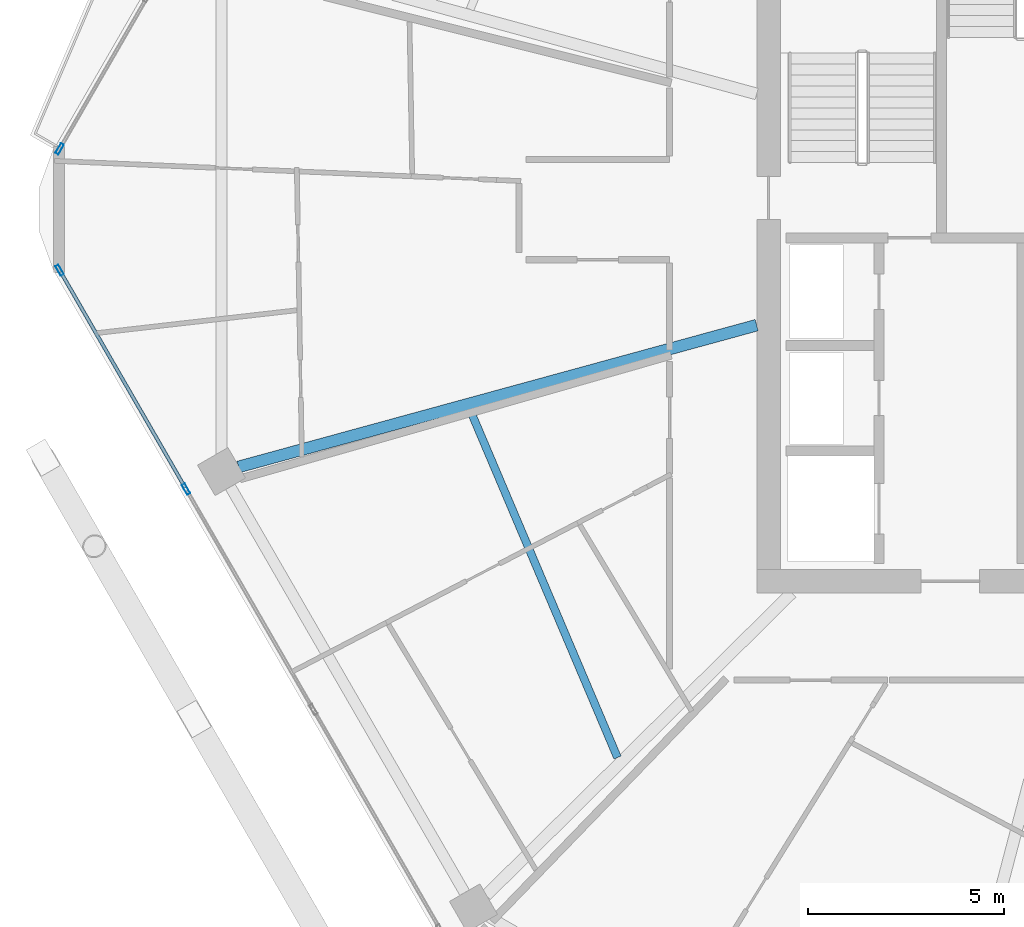
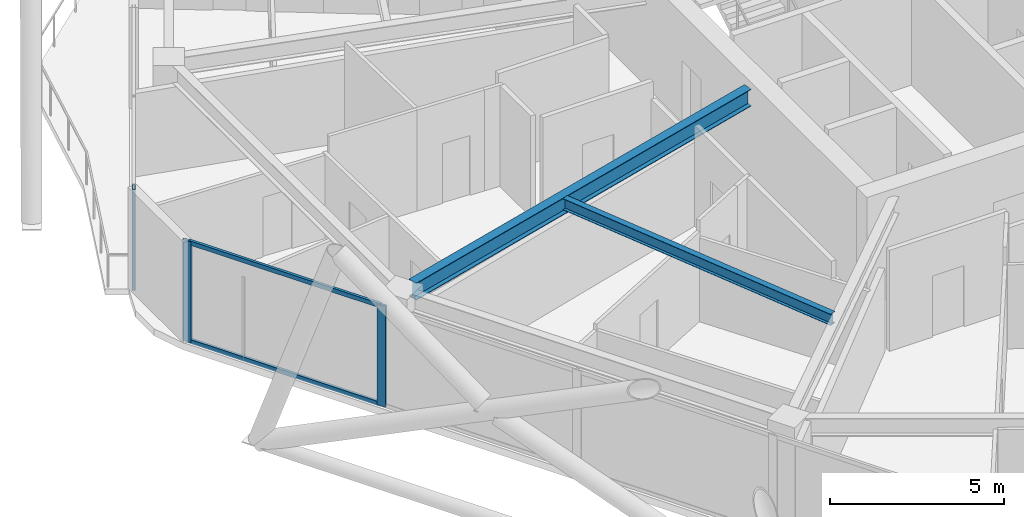
# One storey, part 6 of 29: 5 members, 2 beams, 2 elements without a shape of their own.
"""IFC4 building model written with IfcOpenShell, lengths in metres."""

from ifc_helpers import new_model, si_unit, direction, frame, origin, origin_2d, place, context, subcontext, project, spatial, hollow_rectangle, i_section, extrude, material, material_profile, profile_set, type_object, element, aggregate, save


model = new_model("IFC4")

# Units and contexts
model_context = context("Model", 3, precision=1e-05, world=origin(), true_north=direction((0.0, 1.0)))
body_context = subcontext(model_context, "Body", "Model", "MODEL_VIEW")
ifc_project = project(units=[si_unit("LENGTHUNIT", "METRE"), si_unit("AREAUNIT", "SQUARE_METRE"), si_unit("VOLUMEUNIT", "CUBIC_METRE"), si_unit("PLANEANGLEUNIT", "RADIAN"), si_unit("MASSUNIT", "GRAM", prefix="KILO")], contexts=[model_context])

# Site, building, storey
site_placement = place(None, origin())
site = spatial("IfcSite", under=ifc_project, at=site_placement, CompositionType="ELEMENT")
building_placement = place(site_placement, origin())
building = spatial("IfcBuilding", under=site, at=building_placement, Name="Zuhravey Tower", CompositionType="ELEMENT")
storey_placement = place(building_placement, frame((0.0, 0.0, 246.39990234375)))
storey = spatial("IfcBuildingStorey", under=building, at=storey_placement, Name="L62", CompositionType="ELEMENT", Elevation=246.39990234375)

# Curtain wall, members
ifc_material_1 = material(Name="Thermally broken anodised aluminium", Category="aluminium")
curtain_wall_type = type_object("IfcCurtainWallType", Name="Zone 3-4 High-Rise Curtain Wall CW4", PredefinedType="NOTDEFINED", material=ifc_material_1)
curtain_wall_1_placement = place(storey_placement, origin())
curtain_wall_1 = element("IfcCurtainWall", 1, at=curtain_wall_1_placement, inside=storey, type_object=curtain_wall_type, Name="L62 CW4 CW-L62-F4-1", PredefinedType="NOTDEFINED")
ifc_material_2 = material(Name="Anodised aluminium", Category="aluminium")
ifc_material_profile_1 = material_profile(ifc_material_2, hollow_rectangle(XDim=0.090087890625, YDim=0.284912109375, WallThickness=0.0048828125, at=origin_2d()), Name="ALU-RHS-90x285x5")
ifc_profile_set_1 = profile_set([ifc_material_profile_1], Name="Anodised aluminium")
member_type_1 = type_object("IfcMemberType", Name="Curtain-Wall Mullion 90x180", PredefinedType="MULLION", material=ifc_profile_set_1)
member_1_placement = place(storey_placement, frame((10.608154296875, 24.852783203125, 0.0), z_axis=(0.0, 0.0, 1.0), x_axis=(-0.866024851021, -0.500000957414, 0.0)))
member_1 = element("IfcMember", 2, at=member_1_placement, type_object=member_type_1, Name="CW4 mullion 4", PredefinedType="MULLION", context=body_context, shape_type="SweptSolid", body=[
    extrude(hollow_rectangle(XDim=0.090087890625, YDim=0.284912109375, WallThickness=0.0048828125, at=origin_2d()), origin(), (0.0, 0.0, 1.0), 3.550048828125),
])
member_2_placement = place(storey_placement, frame((7.37744140625, 30.448486328125, 0.0), z_axis=(0.0, 0.0, 1.0), x_axis=(-0.866024851021, -0.500000957414, 0.0)))
member_2 = element("IfcMember", 3, at=member_2_placement, type_object=member_type_1, Name="CW4 mullion 5", PredefinedType="MULLION", context=body_context, shape_type="SweptSolid", body=[
    extrude(hollow_rectangle(XDim=0.090087890625, YDim=0.284912109375, WallThickness=0.0048828125, at=origin_2d()), origin(), (0.0, 0.0, 1.0), 3.550048828125),
])

# Curtain wall, member
curtain_wall_2_placement = place(storey_placement, origin())
curtain_wall_2 = element("IfcCurtainWall", 4, at=curtain_wall_2_placement, inside=storey, type_object=curtain_wall_type, Name="L62 CW4 CW-L62-F3-1", PredefinedType="NOTDEFINED")
member_3_placement = place(storey_placement, frame((7.37744140625, 33.551513671875, 0.0), z_axis=(0.0, 0.0, 1.0), x_axis=(-0.866023292434, 0.500003656948, 0.0)))
member_3 = element("IfcMember", 5, at=member_3_placement, type_object=member_type_1, Name="CW4 mullion 1", PredefinedType="MULLION", context=body_context, shape_type="SweptSolid", body=[
    extrude(hollow_rectangle(XDim=0.090087890625, YDim=0.284912109375, WallThickness=0.0048828125, at=origin_2d()), origin(), (0.0, 0.0, 1.0), 3.550048828125),
])
aggregate(curtain_wall_2, [member_3])

# Member
ifc_material_profile_2 = material_profile(ifc_material_2, hollow_rectangle(XDim=0.090087890625, YDim=0.14990234375, WallThickness=0.0048828125, at=origin_2d()), Name="ALU-RHS-90x150x5")
ifc_profile_set_2 = profile_set([ifc_material_profile_2], Name="Anodised aluminium")
member_type_2 = type_object("IfcMemberType", Name="Curtain-Wall Transom 90x150", PredefinedType="USERDEFINED", material=ifc_profile_set_2)
member_4_placement = place(storey_placement, frame((10.585693359375, 24.891845703125, 0.045166015625), z_axis=(-0.500008810174, 0.866020317169, 0.0), x_axis=(-0.866020317169, -0.500008810174, 0.0)))
member_4 = element("IfcMember", 6, at=member_4_placement, type_object=member_type_2, Name="CW4 transom 4.1", ObjectType="TRANSOM", PredefinedType="USERDEFINED", context=body_context, shape_type="SweptSolid", body=[
    extrude(hollow_rectangle(XDim=0.090087890625, YDim=0.14990234375, WallThickness=0.0048828125, at=origin_2d()), origin(), (0.0, 0.0, 1.0), 6.37158203125),
])

member_5_placement = place(storey_placement, frame((10.585693359375, 24.891845703125, 3.505126953125), z_axis=(-0.500008810174, 0.866020317169, 0.0), x_axis=(-0.866020317169, -0.500008810174, 0.0)))
member_5 = element("IfcMember", 7, at=member_5_placement, type_object=member_type_2, Name="CW4 transom 4.2", ObjectType="TRANSOM", PredefinedType="USERDEFINED", context=body_context, shape_type="SweptSolid", body=[
    extrude(hollow_rectangle(XDim=0.090087890625, YDim=0.14990234375, WallThickness=0.0048828125, at=origin_2d()), origin(), (0.0, 0.0, 1.0), 6.37158203125),
])

aggregate(curtain_wall_1, [member_1, member_2, member_4, member_5])

# Beams
ifc_material_3 = material(Name="Steel SM355", Category="steel")
ifc_material_profile_3 = material_profile(ifc_material_3, i_section(OverallWidth=0.300048828125, OverallDepth=0.60009765625, WebThickness=0.011962890625, FlangeThickness=0.02001953125, at=origin_2d()), Name="H-600x300x12x20")
ifc_profile_set_3 = profile_set([ifc_material_profile_3], Name="Steel SM355")
beam_type_1 = type_object("IfcBeamType", Name="Radial Primary Girder H600x300", PredefinedType="BEAM", material=ifc_profile_set_3)
beam_1_placement = place(storey_placement, frame((25.197021484375, 29.04443359375, 3.25), z_axis=(-0.964548913045, -0.26390413855, 0.0), x_axis=(0.26390413855, -0.964548913045, 0.0)))
element("IfcBeam", 8, at=beam_1_placement, inside=storey, type_object=beam_type_1, Name="L62 RG3 BM-L62-RAD-07", PredefinedType="BEAM", context=body_context, shape_type="SweptSolid", body=[
    extrude(i_section(OverallWidth=0.300048828125, OverallDepth=0.60009765625, WebThickness=0.011962890625, FlangeThickness=0.02001953125, at=origin_2d()), origin(), (0.0, 0.0, 1.0), 13.7314453125),
])
ifc_material_profile_4 = material_profile(ifc_material_3, i_section(OverallWidth=0.199951171875, OverallDepth=0.39990234375, WebThickness=0.008056640625, FlangeThickness=0.012939453125, at=origin_2d()), Name="H-400x200x8x13")
ifc_profile_set_4 = profile_set([ifc_material_profile_4], Name="Steel SM355")
beam_type_2 = type_object("IfcBeamType", Name="Secondary Floor Joist H400x200", PredefinedType="JOIST", material=ifc_profile_set_4)
beam_2_placement = place(storey_placement, frame((17.869140625, 26.881103515625, 3.35009765625), z_axis=(0.390413493754, -0.920639616731, 0.0), x_axis=(0.920639616731, 0.390413493754, 0.0)))
element("IfcBeam", 9, at=beam_2_placement, inside=storey, type_object=beam_type_2, Name="L62 SJ2 BM-L62-SJ-07-1", PredefinedType="JOIST", context=body_context, shape_type="SweptSolid", body=[
    extrude(i_section(OverallWidth=0.199951171875, OverallDepth=0.39990234375, WebThickness=0.008056640625, FlangeThickness=0.012939453125, at=origin_2d()), origin(), (0.0, 0.0, 1.0), 9.656494140625),
])

save(model, "model.ifc")
